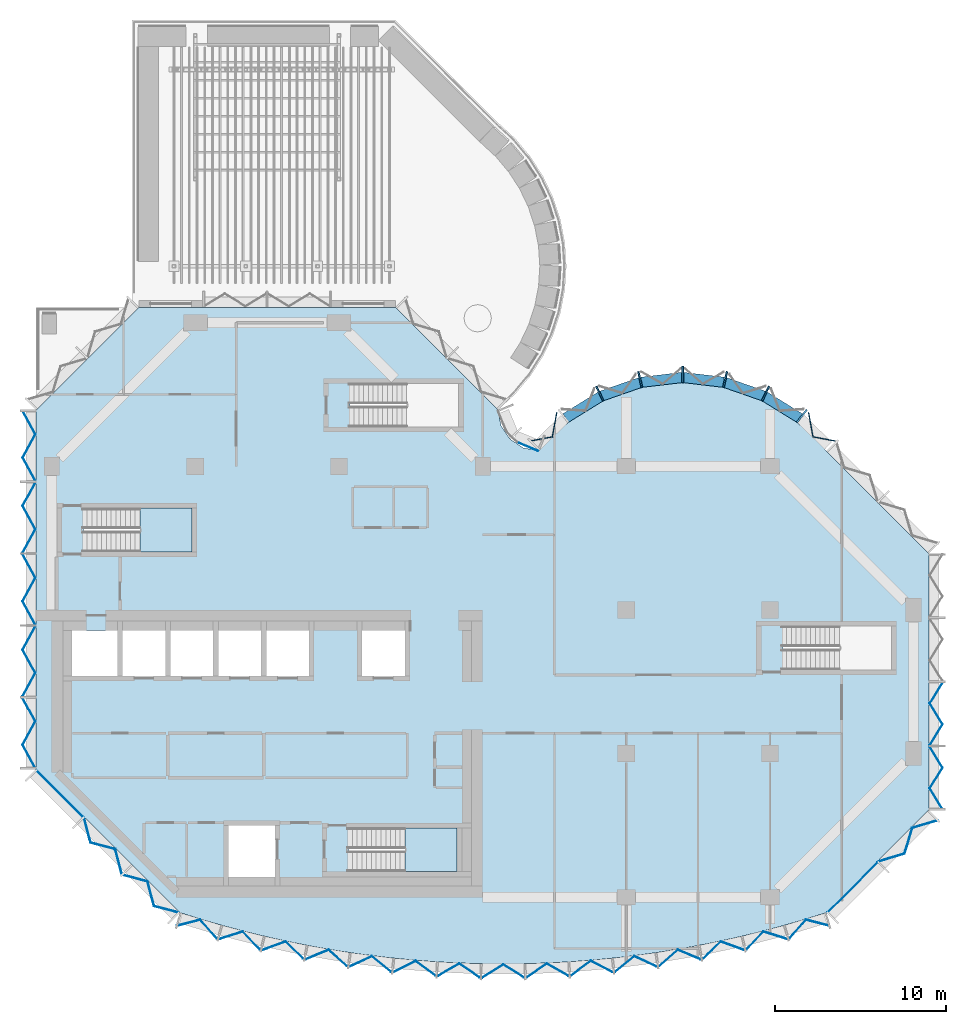
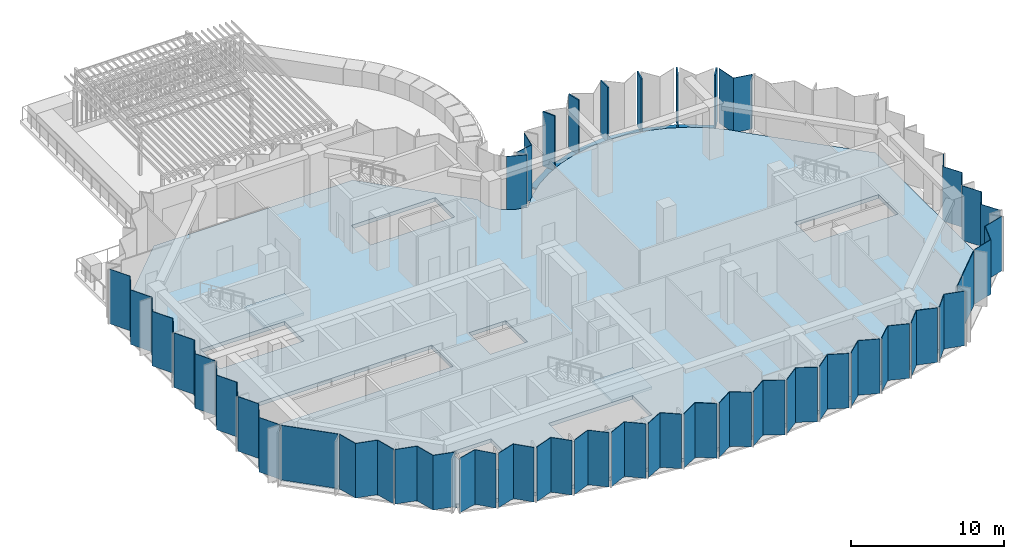
# One storey, part 6 of 15: 30 plates, 12 members, 3 slabs, 9 elements without a shape of their own.
"""IFC4 building model written with IfcOpenShell, lengths in metres."""

import ifcopenshell
import ifcopenshell.guid

model = None  # the IFC model being written
_history = None  # IfcOwnerHistory: only IFC2X3 demands one
_inside = {}  # id of a spatial element -> (the spatial element, [elements in it])
_under = {}  # id of a project, library or spatial element -> (it, [spatial elements below it])
_declared = {}  # id of a project -> (the project, [libraries it declares])
_typed = {}  # id of a type object -> (the type object, [elements of that type])
_made_of = {}  # id of a material, layer set ... -> (it, [elements and type objects made of it])


def new_model(schema):
    """Start an empty IFC model of exactly this schema.

    Asked for "IFC4X3", IfcOpenShell would pick the latest addendum, in which some entities
    have other attributes; the version numbers below select the first issue.
    IFC2X3 requires an IfcOwnerHistory on every rooted entity: one is made here for all.
    """
    global model, _history
    if schema == "IFC4X3":
        model = ifcopenshell.file(schema_version=(4, 3, 0, 0))
    else:
        model = ifcopenshell.file(schema=schema)
    _inside.clear()
    _under.clear()
    _declared.clear()
    _typed.clear()
    _made_of.clear()
    _history = None
    if model.schema == "IFC2X3":
        org = make("IfcOrganization", Name="unknown")
        user = make(
            "IfcPersonAndOrganization",
            ThePerson=make("IfcPerson", FamilyName="unknown"),
            TheOrganization=org,
        )
        app = make(
            "IfcApplication",
            ApplicationDeveloper=org,
            Version="unknown",
            ApplicationFullName="unknown",
            ApplicationIdentifier="unknown",
        )
        _history = make(
            "IfcOwnerHistory",
            OwningUser=user,
            OwningApplication=app,
            ChangeAction="ADDED",
            CreationDate=0,
        )
    return model


def make(cls, **values):
    """One entity of the class cls with the attributes given. An attribute that is None is left unset."""
    return model.create_entity(
        cls, **{name: value for name, value in values.items() if value is not None}
    )


def rooted(cls, **values):
    """An entity with a GlobalId (a new one), such as an element, a storey or a relation."""
    return make(cls, GlobalId=ifcopenshell.guid.new(), OwnerHistory=_history, **values)


def si_unit(unit_type, name, prefix=None):
    """IfcSIUnit, for example si_unit("LENGTHUNIT", "METRE", prefix="MILLI")."""
    return make("IfcSIUnit", UnitType=unit_type, Prefix=prefix, Name=name)


def assignment(units):
    """IfcUnitAssignment: the units of a project."""
    return None if units is None else make("IfcUnitAssignment", Units=units)


def point(xyz):
    """IfcCartesianPoint."""
    return None if xyz is None else make("IfcCartesianPoint", Coordinates=xyz)


def direction(xyz):
    """IfcDirection."""
    return None if xyz is None else make("IfcDirection", DirectionRatios=xyz)


def frame(location, z_axis=None, x_axis=None):
    """IfcAxis2Placement3D, a coordinate frame: its origin and axes. An axis left out is left unset."""
    return make(
        "IfcAxis2Placement3D",
        Location=point(location),
        Axis=direction(z_axis),
        RefDirection=direction(x_axis),
    )


def frame_2d(location, x_axis=None):
    """IfcAxis2Placement2D, a coordinate frame in the plane: its origin and x axis."""
    return make(
        "IfcAxis2Placement2D", Location=point(location), RefDirection=direction(x_axis)
    )


def origin():
    """The frame at (0, 0, 0) with its axes left unset."""
    return frame((0.0, 0.0, 0.0))


def origin_2d():
    """The frame at (0, 0) in the plane with its x axis left unset."""
    return frame_2d((0.0, 0.0))


def place(relative_to, where):
    """IfcLocalPlacement: puts the frame where relative to a parent placement (None: the world)."""
    return make(
        "IfcLocalPlacement", PlacementRelTo=relative_to, RelativePlacement=where
    )


def context(
    kind, dimensions, precision=None, world=None, true_north=None, identifier=None
):
    """IfcGeometricRepresentationContext, for example the 3D "Model" context."""
    return make(
        "IfcGeometricRepresentationContext",
        ContextIdentifier=identifier,
        ContextType=kind,
        CoordinateSpaceDimension=dimensions,
        Precision=precision,
        WorldCoordinateSystem=world,
        TrueNorth=true_north,
    )


def subcontext(parent, identifier, kind, view, scale=None):
    """IfcGeometricRepresentationSubContext, for example "Body" below "Model"."""
    return make(
        "IfcGeometricRepresentationSubContext",
        ContextIdentifier=identifier,
        ContextType=kind,
        ParentContext=parent,
        TargetScale=scale,
        TargetView=view,
    )


def project(units=None, contexts=None):
    """IfcProject with its units and contexts."""
    return rooted(
        "IfcProject",
        Name="project",
        RepresentationContexts=contexts,
        UnitsInContext=assignment(units),
    )


def spatial(cls, under=None, at=None, **own):
    """A site, building, storey or space (cls), placed at a placement, below another one or the project."""
    s = rooted(cls, ObjectPlacement=at, **own)
    if under is not None:
        _under.setdefault(under.id(), (under, []))[1].append(s)
    return s


def polyline(points):
    """IfcPolyline through the points."""
    return make("IfcPolyline", Points=[point(p) for p in points])


def profile(cls, at=None, kind="AREA", **sizes):
    """A parametric profile (cls). Its sizes go by their IFC names, for example OverallWidth=200.0."""
    return make(cls, ProfileType=kind, Position=at, **sizes)


def rectangle(**sizes):
    """IfcRectangleProfileDef."""
    return profile("IfcRectangleProfileDef", **sizes)


def outline(outer, holes=None, kind="AREA"):
    """IfcArbitraryClosedProfileDef: a profile drawn as a closed curve; with holes, ...WithVoids."""
    if holes is None:
        return make("IfcArbitraryClosedProfileDef", ProfileType=kind, OuterCurve=outer)
    return make(
        "IfcArbitraryProfileDefWithVoids",
        ProfileType=kind,
        OuterCurve=outer,
        InnerCurves=holes,
    )


def extrude(swept, where, along, depth):
    """IfcExtrudedAreaSolid: the profile swept, set in the frame where, extruded along a direction by depth."""
    return make(
        "IfcExtrudedAreaSolid",
        SweptArea=swept,
        Position=where,
        ExtrudedDirection=direction(along),
        Depth=depth,
    )


def shape(context_of_items, identifier, shape_type, items):
    """IfcShapeRepresentation: the items that make up one representation, for example the "Body"."""
    return make(
        "IfcShapeRepresentation",
        ContextOfItems=context_of_items,
        RepresentationIdentifier=identifier,
        RepresentationType=shape_type,
        Items=items,
    )


def material(Name=None, Category=None):
    """IfcMaterial."""
    return make("IfcMaterial", Name=Name, Category=Category)


def layer(
    of_material, thickness, ventilated=None, Name=None, Category=None, Priority=None
):
    """IfcMaterialLayer: one layer of a wall or slab, of a material (None: an air gap)."""
    return make(
        "IfcMaterialLayer",
        Material=of_material,
        LayerThickness=thickness,
        IsVentilated=ventilated,
        Name=Name,
        Category=Category,
        Priority=Priority,
    )


def layer_set(layers, Name=None):
    """IfcMaterialLayerSet."""
    return make("IfcMaterialLayerSet", MaterialLayers=layers, LayerSetName=Name)


def material_profile(
    of_material, cross_section, Name=None, Category=None, Priority=None
):
    """IfcMaterialProfile: a cross section and its material."""
    return make(
        "IfcMaterialProfile",
        Name=Name,
        Material=of_material,
        Profile=cross_section,
        Priority=Priority,
        Category=Category,
    )


def profile_set(profiles, Name=None, composite=None):
    """IfcMaterialProfileSet."""
    return make(
        "IfcMaterialProfileSet",
        Name=Name,
        MaterialProfiles=profiles,
        CompositeProfile=composite,
    )


def made_of(thing, what):
    """Note that an element or type object is made of a material, layer set ...; save() writes the relation."""
    if what is not None:
        _made_of.setdefault(what.id(), (what, []))[1].append(thing)
    return thing


def type_object(cls, material=None, **own):
    """A type object (cls), such as IfcWallType, which elements share."""
    return made_of(rooted(cls, **own), material)


def element(
    cls,
    number,
    at=None,
    inside=None,
    cuts=None,
    type_object=None,
    material=None,
    context=None,
    identifier="Body",
    shape_type=None,
    held_by="IfcProductDefinitionShape",
    body=None,
    shapes=None,
    **own,
):
    """One element of the class cls, such as IfcWall. Its Tag is "e" and its number.

    at: its placement. inside: the storey or other place that contains it. cuts: it is an
    opening in that element (IfcRelVoidsElement). A single representation is given by context,
    identifier, shape_type and body (its items); several are given by shapes. held_by: the class
    of the entity that holds the representations. save() writes the other relations.
    """
    e = rooted(cls, Tag="e%d" % number, ObjectPlacement=at, **own)
    if body is not None:
        shapes = [shape(context, identifier, shape_type, body)]
    if shapes is not None:
        e.Representation = make(held_by, Representations=shapes)
    if inside is not None:
        _inside.setdefault(inside.id(), (inside, []))[1].append(e)
    if cuts is not None:
        rooted(
            "IfcRelVoidsElement", RelatingBuildingElement=cuts, RelatedOpeningElement=e
        )
    if type_object is not None:
        _typed.setdefault(type_object.id(), (type_object, []))[1].append(e)
    return made_of(e, material)


def aggregate(whole, parts):
    """IfcRelAggregates: a whole, such as a stair, and the parts it consists of."""
    return rooted("IfcRelAggregates", RelatingObject=whole, RelatedObjects=parts)


def save(model, path):
    """Write the relations noted so far, then the file.

    IfcRelAggregates (storeys below a building ...), IfcRelContainedInSpatialStructure (elements
    in a storey), IfcRelDefinesByType, IfcRelAssociatesMaterial and IfcRelDeclares: one each for
    every whole, place, type object, material and project.
    """
    for whole, parts in _under.values():
        aggregate(whole, parts)
    for where, things in _inside.values():
        rooted(
            "IfcRelContainedInSpatialStructure",
            RelatedElements=things,
            RelatingStructure=where,
        )
    for kind, things in _typed.values():
        rooted("IfcRelDefinesByType", RelatedObjects=things, RelatingType=kind)
    for what, things in _made_of.values():
        rooted("IfcRelAssociatesMaterial", RelatedObjects=things, RelatingMaterial=what)
    for by, libraries in _declared.values():
        rooted("IfcRelDeclares", RelatingContext=by, RelatedDefinitions=libraries)
    model.write(path)


model = new_model("IFC4")

# Units and contexts
model_context = context("Model", 3, precision=1e-05, world=origin(), true_north=direction((0.0, 1.0)))
body_context = subcontext(model_context, "Body", "Model", "MODEL_VIEW")
ifc_project = project(units=[si_unit("LENGTHUNIT", "METRE"), si_unit("AREAUNIT", "SQUARE_METRE"), si_unit("VOLUMEUNIT", "CUBIC_METRE"), si_unit("PLANEANGLEUNIT", "RADIAN"), si_unit("MASSUNIT", "GRAM", prefix="KILO")], contexts=[model_context])

# Site, building, storey
site_placement = place(None, origin())
site = spatial("IfcSite", under=ifc_project, at=site_placement, CompositionType="ELEMENT")
building_placement = place(site_placement, origin())
building = spatial("IfcBuilding", under=site, at=building_placement, Name="Brevane Broadcast Tower", CompositionType="ELEMENT")
storey_placement = place(building_placement, frame((0.0, 0.0, 206.39990234375)))
storey = spatial("IfcBuildingStorey", under=building, at=storey_placement, Name="L52", CompositionType="ELEMENT", Elevation=206.39990234375)

# Curtain wall, members
ifc_material_1 = material(Name="Aluminium 6063-T6 bronze anodised", Category="aluminium")
curtain_wall_type = type_object("IfcCurtainWallType", Name="CW-4 curtain wall", PredefinedType="NOTDEFINED", material=ifc_material_1)
curtain_wall_1_placement = place(storey_placement, origin())
curtain_wall_1 = element("IfcCurtainWall", 1, at=curtain_wall_1_placement, inside=storey, type_object=curtain_wall_type, Name="CW-4 sky lobby unit L52 east bow", PredefinedType="NOTDEFINED")
ifc_material_profile_1 = material_profile(ifc_material_1, rectangle(XDim=0.949951171875, YDim=0.10009765625, at=origin_2d()), Name="RECT 100x950")
ifc_profile_set_1 = profile_set([ifc_material_profile_1], Name="Aluminium 6063-T6 bronze anodised")
member_type_1 = type_object("IfcMemberType", Name="CW-4 mullion 100x950", PredefinedType="MULLION", material=ifc_profile_set_1)
member_1_placement = place(storey_placement, frame((43.8720703125, 28.1455078125, -0.159912109375), z_axis=(0.0, 0.0, 1.0), x_axis=(-0.614769698862, -0.788706673841, 0.0)))
member_1 = element("IfcMember", 2, at=member_1_placement, type_object=member_type_1, Name="CW-4 mullion", PredefinedType="MULLION", context=body_context, shape_type="SweptSolid", body=[
    extrude(rectangle(XDim=0.949951171875, YDim=0.10009765625, at=origin_2d()), origin(), (0.0, 0.0, 1.0), 4.360107421875),
])
member_2_placement = place(storey_placement, frame((41.746826171875, 29.4580078125, -0.159912109375), z_axis=(0.0, 0.0, 1.0), x_axis=(-0.429933580394, -0.902860518823, 0.0)))
member_2 = element("IfcMember", 3, at=member_2_placement, type_object=member_type_1, Name="CW-4 mullion", PredefinedType="MULLION", context=body_context, shape_type="SweptSolid", body=[
    extrude(rectangle(XDim=0.949951171875, YDim=0.10009765625, at=origin_2d()), origin(), (0.0, 0.0, 1.0), 4.360107421875),
])
member_3_placement = place(storey_placement, frame((39.38818359375, 30.28076171875, -0.159912109375), z_axis=(0.0, 0.0, 1.0), x_axis=(-0.224806535479, -0.974403418306, 0.0)))
member_3 = element("IfcMember", 4, at=member_3_placement, type_object=member_type_1, Name="CW-4 mullion", PredefinedType="MULLION", context=body_context, shape_type="SweptSolid", body=[
    extrude(rectangle(XDim=0.949951171875, YDim=0.10009765625, at=origin_2d()), origin(), (0.0, 0.0, 1.0), 4.360107421875),
])
member_4_placement = place(storey_placement, frame((36.89990234375, 30.574951171875, -0.159912109375), z_axis=(0.0, 0.0, 1.0), x_axis=(0.0, -1.0, 0.0)))
member_4 = element("IfcMember", 5, at=member_4_placement, type_object=member_type_1, Name="CW-4 mullion", PredefinedType="MULLION", context=body_context, shape_type="SweptSolid", body=[
    extrude(rectangle(XDim=0.949951171875, YDim=0.10009765625, at=origin_2d()), origin(), (0.0, 0.0, 1.0), 4.360107421875),
])
member_5_placement = place(storey_placement, frame((34.411865234375, 30.28076171875, -0.159912109375), z_axis=(0.0, 0.0, 1.0), x_axis=(0.224806535479, -0.974403418306, 0.0)))
member_5 = element("IfcMember", 6, at=member_5_placement, type_object=member_type_1, Name="CW-4 mullion", PredefinedType="MULLION", context=body_context, shape_type="SweptSolid", body=[
    extrude(rectangle(XDim=0.949951171875, YDim=0.10009765625, at=origin_2d()), origin(), (0.0, 0.0, 1.0), 4.360107421875),
])
member_6_placement = place(storey_placement, frame((32.05322265625, 29.4580078125, -0.159912109375), z_axis=(0.0, 0.0, 1.0), x_axis=(0.429933580394, -0.902860518823, 0.0)))
member_6 = element("IfcMember", 7, at=member_6_placement, type_object=member_type_1, Name="CW-4 mullion", PredefinedType="MULLION", context=body_context, shape_type="SweptSolid", body=[
    extrude(rectangle(XDim=0.949951171875, YDim=0.10009765625, at=origin_2d()), origin(), (0.0, 0.0, 1.0), 4.360107421875),
])
ifc_material_profile_2 = material_profile(ifc_material_1, rectangle(XDim=0.60009765625, YDim=0.139892578125, at=origin_2d()), Name="RECT 140x600")
ifc_profile_set_2 = profile_set([ifc_material_profile_2], Name="Aluminium 6063-T6 bronze anodised")
member_type_2 = type_object("IfcMemberType", Name="CW-4 transom 140x600", PredefinedType="USERDEFINED", material=ifc_profile_set_2)
member_7_placement = place(storey_placement, frame((43.7421875, 28.023193359375, -0.22998046875), z_axis=(-0.850810063131, 0.525473345162, 0.0), x_axis=(-0.525473345162, -0.850810063131, 0.0)))
member_7 = element("IfcMember", 8, at=member_7_placement, type_object=member_type_2, Name="CW-4 transom", ObjectType="TRANSOM", PredefinedType="USERDEFINED", context=body_context, shape_type="SweptSolid", body=[
    extrude(rectangle(XDim=0.60009765625, YDim=0.139892578125, at=origin_2d()), origin(), (0.0, 0.0, 1.0), 2.39453125),
])
member_8_placement = place(storey_placement, frame((41.63623046875, 29.314208984375, -0.22998046875), z_axis=(-0.944197969542, 0.329378497041, 0.0), x_axis=(-0.329378497041, -0.944197969542, 0.0)))
member_8 = element("IfcMember", 9, at=member_8_placement, type_object=member_type_2, Name="CW-4 transom", ObjectType="TRANSOM", PredefinedType="USERDEFINED", context=body_context, shape_type="SweptSolid", body=[
    extrude(rectangle(XDim=0.60009765625, YDim=0.139892578125, at=origin_2d()), origin(), (0.0, 0.0, 1.0), 2.394775390625),
])
member_9_placement = place(storey_placement, frame((39.30029296875, 30.117431640625, -0.22998046875), z_axis=(-0.993062061831, 0.117591417, 0.0), x_axis=(-0.117591417, -0.993062061831, 0.0)))
member_9 = element("IfcMember", 10, at=member_9_placement, type_object=member_type_2, Name="CW-4 transom", ObjectType="TRANSOM", PredefinedType="USERDEFINED", context=body_context, shape_type="SweptSolid", body=[
    extrude(rectangle(XDim=0.60009765625, YDim=0.139892578125, at=origin_2d()), origin(), (0.0, 0.0, 1.0), 2.39794921875),
])
member_10_placement = place(storey_placement, frame((36.880859375, 30.3994140625, -0.22998046875), z_axis=(-0.993060653805, -0.117603307202, 0.0), x_axis=(0.117603307202, -0.993060653805, 0.0)))
member_10 = element("IfcMember", 11, at=member_10_placement, type_object=member_type_2, Name="CW-4 transom", ObjectType="TRANSOM", PredefinedType="USERDEFINED", context=body_context, shape_type="SweptSolid", body=[
    extrude(rectangle(XDim=0.60009765625, YDim=0.139892578125, at=origin_2d()), origin(), (0.0, 0.0, 1.0), 2.397705078125),
])
member_11_placement = place(storey_placement, frame((34.425048828125, 30.10302734375, -0.22998046875), z_axis=(-0.944197969542, -0.329378497041, 0.0), x_axis=(0.329378497041, -0.944197969542, 0.0)))
member_11 = element("IfcMember", 12, at=member_11_placement, type_object=member_type_2, Name="CW-4 transom", ObjectType="TRANSOM", PredefinedType="USERDEFINED", context=body_context, shape_type="SweptSolid", body=[
    extrude(rectangle(XDim=0.60009765625, YDim=0.139892578125, at=origin_2d()), origin(), (0.0, 0.0, 1.0), 2.394775390625),
])
member_12_placement = place(storey_placement, frame((32.09521484375, 29.281494140625, -0.22998046875), z_axis=(-0.850838211365, -0.525427766759, 0.0), x_axis=(0.525427766759, -0.850838211365, 0.0)))
member_12 = element("IfcMember", 13, at=member_12_placement, type_object=member_type_2, Name="CW-4 transom", ObjectType="TRANSOM", PredefinedType="USERDEFINED", context=body_context, shape_type="SweptSolid", body=[
    extrude(rectangle(XDim=0.60009765625, YDim=0.139892578125, at=origin_2d()), origin(), (0.0, 0.0, 1.0), 2.394775390625),
])

# Curtain wall, plates
curtain_wall_2_placement = place(storey_placement, origin())
curtain_wall_2 = element("IfcCurtainWall", 14, at=curtain_wall_2_placement, inside=storey, type_object=curtain_wall_type, Name="CW-4 sky lobby unit L52 south bow", PredefinedType="NOTDEFINED")
ifc_material_2 = material(Name="Laminated glass bronze-tinted", Category="glass")
ifc_layer_1 = layer(ifc_material_2, 0.0400390625)
ifc_layer_set_1 = layer_set([ifc_layer_1], Name="CW tall glass panel 40")
plate_type = type_object("IfcPlateType", Name="CW tall glass panel 40", PredefinedType="CURTAIN_PANEL", material=ifc_layer_set_1)
plate_1_placement = place(storey_placement, frame((0.0, 0.0, -0.159912109375)))
plate_1 = element("IfcPlate", 15, at=plate_1_placement, type_object=plate_type, Name="CW-4 glass panel", PredefinedType="CURTAIN_PANEL", context=body_context, shape_type="SweptSolid", body=[
    extrude(outline(polyline([(7.32666015625, -1.647705078125), (7.31298828125, -1.6923828125), (8.68603515625, -1.334716796875), (9.643310546875, -2.41796875), (9.65625, -2.3720703125), (8.69970703125, -1.289794921875), (7.32666015625, -1.647705078125)])), origin(), (0.0, 0.0, 1.0), 4.360107421875),
])
plate_2_placement = place(storey_placement, frame((0.0, 0.0, -0.159912109375)))
plate_2 = element("IfcPlate", 16, at=plate_2_placement, type_object=plate_type, Name="CW-4 glass panel", PredefinedType="CURTAIN_PANEL", context=body_context, shape_type="SweptSolid", body=[
    extrude(outline(polyline([(9.82958984375, -2.411376953125), (9.816650390625, -2.457275390625), (11.174560546875, -2.030029296875), (12.15771484375, -3.066162109375), (12.168701171875, -3.01953125), (11.186279296875, -1.984375), (9.82958984375, -2.411376953125)])), origin(), (0.0, 0.0, 1.0), 4.360107421875),
])
plate_3_placement = place(storey_placement, frame((0.0, 0.0, -0.159912109375)))
plate_3 = element("IfcPlate", 17, at=plate_3_placement, type_object=plate_type, Name="CW-4 glass panel", PredefinedType="CURTAIN_PANEL", context=body_context, shape_type="SweptSolid", body=[
    extrude(outline(polyline([(12.3427734375, -3.054443359375), (12.331787109375, -3.10107421875), (13.671142578125, -2.615966796875), (14.697021484375, -3.6083984375), (14.705810546875, -3.561279296875), (13.68115234375, -2.56982421875), (12.3427734375, -3.054443359375)])), origin(), (0.0, 0.0, 1.0), 4.360107421875),
])
plate_4_placement = place(storey_placement, frame((0.0, 0.0, -0.159912109375)))
plate_4 = element("IfcPlate", 18, at=plate_4_placement, type_object=plate_type, Name="CW-4 glass panel", PredefinedType="CURTAIN_PANEL", context=body_context, shape_type="SweptSolid", body=[
    extrude(outline(polyline([(14.880615234375, -3.59228515625), (14.87158203125, -3.639404296875), (16.190185546875, -3.09716796875), (17.25634765625, -4.044189453125), (17.263427734375, -3.996826171875), (16.197998046875, -3.05078125), (14.880615234375, -3.59228515625)])), origin(), (0.0, 0.0, 1.0), 4.360107421875),
])
plate_5_placement = place(storey_placement, frame((0.0, 0.0, -0.159912109375)))
plate_5 = element("IfcPlate", 19, at=plate_5_placement, type_object=plate_type, Name="CW-4 glass panel", PredefinedType="CURTAIN_PANEL", context=body_context, shape_type="SweptSolid", body=[
    extrude(outline(polyline([(17.43896484375, -4.023681640625), (17.431884765625, -4.071044921875), (18.72705078125, -3.47265625), (19.831787109375, -4.372802734375), (19.8369140625, -4.3251953125), (18.73291015625, -3.42578125), (17.43896484375, -4.023681640625)])), origin(), (0.0, 0.0, 1.0), 4.360107421875),
])
plate_6_placement = place(storey_placement, frame((0.0, 0.0, -0.159912109375)))
plate_6 = element("IfcPlate", 20, at=plate_6_placement, type_object=plate_type, Name="CW-4 glass panel", PredefinedType="CURTAIN_PANEL", context=body_context, shape_type="SweptSolid", body=[
    extrude(outline(polyline([(20.012939453125, -4.347900390625), (20.0078125, -4.3955078125), (21.27734375, -3.741943359375), (22.418701171875, -4.593505859375), (22.421630859375, -4.5458984375), (21.28125, -3.695068359375), (20.012939453125, -4.347900390625)])), origin(), (0.0, 0.0, 1.0), 4.360107421875),
])
plate_7_placement = place(storey_placement, frame((0.0, 0.0, -0.159912109375)))
plate_7 = element("IfcPlate", 21, at=plate_7_placement, type_object=plate_type, Name="CW-4 glass panel", PredefinedType="CURTAIN_PANEL", context=body_context, shape_type="SweptSolid", body=[
    extrude(outline(polyline([(22.598388671875, -4.564453125), (22.595458984375, -4.6123046875), (23.836669921875, -3.904541015625), (25.0126953125, -4.706298828125), (25.013916015625, -4.658447265625), (23.83837890625, -3.857421875), (22.598388671875, -4.564453125)])), origin(), (0.0, 0.0, 1.0), 4.360107421875),
])
plate_8_placement = place(storey_placement, frame((0.0, 0.0, -0.159912109375)))
plate_8 = element("IfcPlate", 22, at=plate_8_placement, type_object=plate_type, Name="CW-4 glass panel", PredefinedType="CURTAIN_PANEL", context=body_context, shape_type="SweptSolid", body=[
    extrude(outline(polyline([(25.191162109375, -4.67236328125), (25.190185546875, -4.72021484375), (26.4052734375, -3.958984375), (27.619140625, -4.708740234375), (27.6181640625, -4.6611328125), (26.4052734375, -3.912109375), (25.191162109375, -4.67236328125)])), origin(), (0.0, 0.0, 1.0), 4.360107421875),
])
plate_9_placement = place(storey_placement, frame((0.0, 0.0, -0.159912109375)))
plate_9 = element("IfcPlate", 23, at=plate_9_placement, type_object=plate_type, Name="CW-4 glass panel", PredefinedType="CURTAIN_PANEL", context=body_context, shape_type="SweptSolid", body=[
    extrude(outline(polyline([(27.77685546875, -4.658935546875), (27.77783203125, -4.70654296875), (28.958740234375, -3.90478515625), (30.20458984375, -4.612060546875), (30.20166015625, -4.564453125), (28.956787109375, -3.857666015625), (27.77685546875, -4.658935546875)])), origin(), (0.0, 0.0, 1.0), 4.360107421875),
])
plate_10_placement = place(storey_placement, frame((0.0, 0.0, -0.159912109375)))
plate_10 = element("IfcPlate", 24, at=plate_10_placement, type_object=plate_type, Name="CW-4 glass panel", PredefinedType="CURTAIN_PANEL", context=body_context, shape_type="SweptSolid", body=[
    extrude(outline(polyline([(30.37841796875, -4.5458984375), (30.38134765625, -4.593505859375), (31.522705078125, -3.741943359375), (32.7919921875, -4.3955078125), (32.787109375, -4.347900390625), (31.518798828125, -3.695068359375), (30.37841796875, -4.5458984375)])), origin(), (0.0, 0.0, 1.0), 4.360107421875),
])
plate_11_placement = place(storey_placement, frame((0.0, 0.0, -0.159912109375)))
plate_11 = element("IfcPlate", 25, at=plate_11_placement, type_object=plate_type, Name="CW-4 glass panel", PredefinedType="CURTAIN_PANEL", context=body_context, shape_type="SweptSolid", body=[
    extrude(outline(polyline([(32.963134765625, -4.3251953125), (32.96826171875, -4.372802734375), (34.072998046875, -3.47265625), (35.3681640625, -4.071044921875), (35.361083984375, -4.023681640625), (34.067138671875, -3.42578125), (32.963134765625, -4.3251953125)])), origin(), (0.0, 0.0, 1.0), 4.360107421875),
])
plate_12_placement = place(storey_placement, frame((0.0, 0.0, -0.159912109375)))
plate_12 = element("IfcPlate", 26, at=plate_12_placement, type_object=plate_type, Name="CW-4 glass panel", PredefinedType="CURTAIN_PANEL", context=body_context, shape_type="SweptSolid", body=[
    extrude(outline(polyline([(35.53662109375, -3.996826171875), (35.543701171875, -4.044189453125), (36.60986328125, -3.09716796875), (37.92822265625, -3.639404296875), (37.919189453125, -3.59228515625), (36.601806640625, -3.05078125), (35.53662109375, -3.996826171875)])), origin(), (0.0, 0.0, 1.0), 4.360107421875),
])
plate_13_placement = place(storey_placement, frame((0.0, 0.0, -0.159912109375)))
plate_13 = element("IfcPlate", 27, at=plate_13_placement, type_object=plate_type, Name="CW-4 glass panel", PredefinedType="CURTAIN_PANEL", context=body_context, shape_type="SweptSolid", body=[
    extrude(outline(polyline([(38.09423828125, -3.561279296875), (38.10302734375, -3.6083984375), (39.12890625, -2.615966796875), (40.46826171875, -3.10107421875), (40.457275390625, -3.054443359375), (39.118896484375, -2.56982421875), (38.09423828125, -3.561279296875)])), origin(), (0.0, 0.0, 1.0), 4.360107421875),
])
plate_14_placement = place(storey_placement, frame((0.0, 0.0, -0.159912109375)))
plate_14 = element("IfcPlate", 28, at=plate_14_placement, type_object=plate_type, Name="CW-4 glass panel", PredefinedType="CURTAIN_PANEL", context=body_context, shape_type="SweptSolid", body=[
    extrude(outline(polyline([(40.63134765625, -3.01953125), (40.642333984375, -3.066162109375), (41.62548828125, -2.030029296875), (42.9833984375, -2.457275390625), (42.970458984375, -2.411376953125), (41.613525390625, -1.984375), (40.63134765625, -3.01953125)])), origin(), (0.0, 0.0, 1.0), 4.360107421875),
])
plate_15_placement = place(storey_placement, frame((0.0, 0.0, -0.159912109375)))
plate_15 = element("IfcPlate", 29, at=plate_15_placement, type_object=plate_type, Name="CW-4 glass panel", PredefinedType="CURTAIN_PANEL", context=body_context, shape_type="SweptSolid", body=[
    extrude(outline(polyline([(43.143798828125, -2.3720703125), (43.156494140625, -2.41796875), (44.114013671875, -1.334716796875), (45.487060546875, -1.6923828125), (45.473388671875, -1.647705078125), (44.100341796875, -1.289794921875), (43.143798828125, -2.3720703125)])), origin(), (0.0, 0.0, 1.0), 4.360107421875),
])
aggregate(curtain_wall_2, [plate_1, plate_2, plate_3, plate_4, plate_5, plate_6, plate_7, plate_8, plate_9, plate_10, plate_11, plate_12, plate_13, plate_14, plate_15])

curtain_wall_3_placement = place(storey_placement, origin())
curtain_wall_3 = element("IfcCurtainWall", 30, at=curtain_wall_3_placement, inside=storey, type_object=curtain_wall_type, Name="CW-4 sky lobby unit L52 south-east chamfer", PredefinedType="NOTDEFINED")
plate_16_placement = place(storey_placement, frame((0.0, 0.0, -0.159912109375)))
plate_16 = element("IfcPlate", 31, at=plate_16_placement, type_object=plate_type, Name="CW-4 glass panel", PredefinedType="CURTAIN_PANEL", context=body_context, shape_type="SweptSolid", body=[
    extrude(outline(polyline([(45.356689453125, -0.885986328125), (48.285888671875, 2.04345703125), (48.314208984375, 2.01513671875), (45.385009765625, -0.9140625), (45.356689453125, -0.885986328125)])), origin(), (0.0, 0.0, 1.0), 4.360107421875),
])
plate_17_placement = place(storey_placement, frame((0.0, 0.0, -0.159912109375)))
plate_17 = element("IfcPlate", 32, at=plate_17_placement, type_object=plate_type, Name="CW-4 glass panel", PredefinedType="CURTAIN_PANEL", context=body_context, shape_type="SweptSolid", body=[
    extrude(outline(polyline([(48.3544921875, 2.1162109375), (48.38671875, 2.083984375), (49.8896484375, 2.533935546875), (50.339599609375, 4.036865234375), (51.84228515625, 4.48681640625), (51.810302734375, 4.51904296875), (50.3076171875, 4.06884765625), (49.857421875, 2.566162109375), (48.3544921875, 2.1162109375)])), origin(), (0.0, 0.0, 1.0), 4.360107421875),
])
aggregate(curtain_wall_3, [plate_16, plate_17])

curtain_wall_4_placement = place(storey_placement, origin())
curtain_wall_4 = element("IfcCurtainWall", 33, at=curtain_wall_4_placement, inside=storey, type_object=curtain_wall_type, Name="CW-4 sky lobby unit L52 east end", PredefinedType="NOTDEFINED")
plate_18_placement = place(storey_placement, frame((0.0, 0.0, -0.159912109375)))
plate_18 = element("IfcPlate", 34, at=plate_18_placement, type_object=plate_type, Name="CW-4 glass panel", PredefinedType="CURTAIN_PANEL", context=body_context, shape_type="SweptSolid", body=[
    extrude(outline(polyline([(52.07080078125, 5.14990234375), (52.117919921875, 5.14990234375), (51.373291015625, 6.36669921875), (52.117919921875, 7.583251953125), (51.373291015625, 8.800048828125), (51.32666015625, 8.800048828125), (52.07080078125, 7.583251953125), (51.32666015625, 6.36669921875), (52.07080078125, 5.14990234375)])), origin(), (0.0, 0.0, 1.0), 4.360107421875),
])
plate_19_placement = place(storey_placement, frame((0.0, 0.0, -0.159912109375)))
plate_19 = element("IfcPlate", 35, at=plate_19_placement, type_object=plate_type, Name="CW-4 glass panel", PredefinedType="CURTAIN_PANEL", context=body_context, shape_type="SweptSolid", body=[
    extrude(outline(polyline([(51.32666015625, 8.89990234375), (51.373291015625, 8.89990234375), (52.117919921875, 10.11669921875), (51.373291015625, 11.333251953125), (52.117919921875, 12.550048828125), (52.07080078125, 12.550048828125), (51.32666015625, 11.333251953125), (52.07080078125, 10.11669921875), (51.32666015625, 8.89990234375)])), origin(), (0.0, 0.0, 1.0), 4.360107421875),
])
aggregate(curtain_wall_4, [plate_18, plate_19])

# Plate
plate_20_placement = place(storey_placement, frame((0.0, 0.0, -0.159912109375)))
plate_20 = element("IfcPlate", 36, at=plate_20_placement, type_object=plate_type, Name="CW-4 glass panel", PredefinedType="CURTAIN_PANEL", context=body_context, shape_type="SweptSolid", body=[
    extrude(outline(polyline([(45.7802734375, 26.666015625), (45.813720703125, 26.700439453125), (44.539306640625, 26.9423828125), (44.27587890625, 28.37646484375), (44.242919921875, 28.334228515625), (44.5048828125, 26.908203125), (45.7802734375, 26.666015625)])), origin(), (0.0, 0.0, 1.0), 4.360107421875),
])

plate_21_placement = place(storey_placement, frame((0.0, 0.0, -0.159912109375)))
plate_21 = element("IfcPlate", 37, at=plate_21_placement, type_object=plate_type, Name="CW-4 glass panel", PredefinedType="CURTAIN_PANEL", context=body_context, shape_type="SweptSolid", body=[
    extrude(outline(polyline([(29.556884765625, 28.334228515625), (29.524169921875, 28.37646484375), (29.2607421875, 26.9423828125), (27.986328125, 26.700439453125), (28.019775390625, 26.666015625), (29.295166015625, 26.908203125), (29.556884765625, 28.334228515625)])), origin(), (0.0, 0.0, 1.0), 4.360107421875),
])

aggregate(curtain_wall_1, [member_1, member_2, member_3, member_4, member_5, member_6, member_7, member_8, member_9, member_10, member_11, member_12, plate_20, plate_21])

# Curtain wall, plate
curtain_wall_5_placement = place(storey_placement, origin())
curtain_wall_5 = element("IfcCurtainWall", 38, at=curtain_wall_5_placement, inside=storey, type_object=curtain_wall_type, Name="CW-4 sky lobby unit L52 inner corner", PredefinedType="NOTDEFINED")
plate_22_placement = place(storey_placement, frame((0.0, 0.0, -0.159912109375)))
plate_22 = element("IfcPlate", 39, at=plate_22_placement, type_object=plate_type, Name="CW-4 glass panel", PredefinedType="CURTAIN_PANEL", context=body_context, shape_type="SweptSolid", body=[
    extrude(outline(polyline([(28.437744140625, 26.080322265625), (28.453125, 26.1171875), (27.217041015625, 26.62939453125), (27.1865234375, 26.5986328125), (28.437744140625, 26.080322265625)])), origin(), (0.0, 0.0, 1.0), 4.360107421875),
])
aggregate(curtain_wall_5, [plate_22])

# Curtain wall, plates
curtain_wall_6_placement = place(storey_placement, origin())
curtain_wall_6 = element("IfcCurtainWall", 40, at=curtain_wall_6_placement, inside=storey, type_object=curtain_wall_type, Name="CW-4 sky lobby unit L52 west face", PredefinedType="NOTDEFINED")
plate_23_placement = place(storey_placement, frame((0.0, 0.0, -0.159912109375)))
plate_23 = element("IfcPlate", 41, at=plate_23_placement, type_object=plate_type, Name="CW-4 glass panel", PredefinedType="CURTAIN_PANEL", context=body_context, shape_type="SweptSolid", body=[
    extrude(outline(polyline([(-1.671630859375, 28.449951171875), (-1.71728515625, 28.449951171875), (-0.972900390625, 27.083251953125), (-1.71728515625, 25.716796875), (-0.972900390625, 24.35009765625), (-0.92724609375, 24.35009765625), (-1.671630859375, 25.716796875), (-0.92724609375, 27.083251953125), (-1.671630859375, 28.449951171875)])), origin(), (0.0, 0.0, 1.0), 4.360107421875),
])
plate_24_placement = place(storey_placement, frame((0.0, 0.0, -0.159912109375)))
plate_24 = element("IfcPlate", 42, at=plate_24_placement, type_object=plate_type, Name="CW-4 glass panel", PredefinedType="CURTAIN_PANEL", context=body_context, shape_type="SweptSolid", body=[
    extrude(outline(polyline([(-0.92724609375, 24.25), (-0.972900390625, 24.25), (-1.71728515625, 22.88330078125), (-0.972900390625, 21.5166015625), (-1.71728515625, 20.14990234375), (-1.671630859375, 20.14990234375), (-0.92724609375, 21.5166015625), (-1.671630859375, 22.88330078125), (-0.92724609375, 24.25)])), origin(), (0.0, 0.0, 1.0), 4.360107421875),
])
plate_25_placement = place(storey_placement, frame((0.0, 0.0, -0.159912109375)))
plate_25 = element("IfcPlate", 43, at=plate_25_placement, type_object=plate_type, Name="CW-4 glass panel", PredefinedType="CURTAIN_PANEL", context=body_context, shape_type="SweptSolid", body=[
    extrude(outline(polyline([(-1.671630859375, 20.050048828125), (-1.71728515625, 20.050048828125), (-0.972900390625, 18.683349609375), (-1.71728515625, 17.316650390625), (-0.972900390625, 15.949951171875), (-0.92724609375, 15.949951171875), (-1.671630859375, 17.316650390625), (-0.92724609375, 18.683349609375), (-1.671630859375, 20.050048828125)])), origin(), (0.0, 0.0, 1.0), 4.360107421875),
])
plate_26_placement = place(storey_placement, frame((0.0, 0.0, -0.159912109375)))
plate_26 = element("IfcPlate", 44, at=plate_26_placement, type_object=plate_type, Name="CW-4 glass panel", PredefinedType="CURTAIN_PANEL", context=body_context, shape_type="SweptSolid", body=[
    extrude(outline(polyline([(-0.92724609375, 15.85009765625), (-0.972900390625, 15.85009765625), (-1.71728515625, 14.4833984375), (-0.972900390625, 13.11669921875), (-1.71728515625, 11.75), (-1.671630859375, 11.75), (-0.92724609375, 13.11669921875), (-1.671630859375, 14.4833984375), (-0.92724609375, 15.85009765625)])), origin(), (0.0, 0.0, 1.0), 4.360107421875),
])
plate_27_placement = place(storey_placement, frame((0.0, 0.0, -0.159912109375)))
plate_27 = element("IfcPlate", 45, at=plate_27_placement, type_object=plate_type, Name="CW-4 glass panel", PredefinedType="CURTAIN_PANEL", context=body_context, shape_type="SweptSolid", body=[
    extrude(outline(polyline([(-1.671630859375, 11.64990234375), (-1.71728515625, 11.64990234375), (-0.972900390625, 10.283203125), (-1.71728515625, 8.916748046875), (-0.972900390625, 7.550048828125), (-0.92724609375, 7.550048828125), (-1.671630859375, 8.916748046875), (-0.92724609375, 10.283203125), (-1.671630859375, 11.64990234375)])), origin(), (0.0, 0.0, 1.0), 4.360107421875),
])
aggregate(curtain_wall_6, [plate_23, plate_24, plate_25, plate_26, plate_27])

curtain_wall_7_placement = place(storey_placement, origin())
curtain_wall_7 = element("IfcCurtainWall", 46, at=curtain_wall_7_placement, inside=storey, type_object=curtain_wall_type, Name="CW-4 sky lobby unit L52 south-west chamfer", PredefinedType="NOTDEFINED")
plate_28_placement = place(storey_placement, frame((0.0, 0.0, -0.159912109375)))
plate_28 = element("IfcPlate", 47, at=plate_28_placement, type_object=plate_type, Name="CW-4 glass panel", PredefinedType="CURTAIN_PANEL", context=body_context, shape_type="SweptSolid", body=[
    extrude(outline(polyline([(-0.885986328125, 7.443359375), (1.843505859375, 4.714111328125), (1.815185546875, 4.685791015625), (-0.9140625, 7.4150390625), (-0.885986328125, 7.443359375)])), origin(), (0.0, 0.0, 1.0), 4.360107421875),
])
plate_29_placement = place(storey_placement, frame((0.0, 0.0, -0.159912109375)))
plate_29 = element("IfcPlate", 48, at=plate_29_placement, type_object=plate_type, Name="CW-4 glass panel", PredefinedType="CURTAIN_PANEL", context=body_context, shape_type="SweptSolid", body=[
    extrude(outline(polyline([(1.916259765625, 4.6455078125), (1.8837890625, 4.613037109375), (2.26708984375, 3.1767578125), (3.703125, 2.79345703125), (4.086669921875, 1.357421875), (4.119384765625, 1.389892578125), (3.73583984375, 2.826171875), (2.2998046875, 3.20947265625), (1.916259765625, 4.6455078125)])), origin(), (0.0, 0.0, 1.0), 4.360107421875),
])
plate_30_placement = place(storey_placement, frame((0.0, 0.0, -0.159912109375)))
plate_30 = element("IfcPlate", 49, at=plate_30_placement, type_object=plate_type, Name="CW-4 glass panel", PredefinedType="CURTAIN_PANEL", context=body_context, shape_type="SweptSolid", body=[
    extrude(outline(polyline([(4.18994140625, 1.3193359375), (4.1572265625, 1.28662109375), (5.593505859375, 0.9033203125), (5.976806640625, -0.532958984375), (7.4130859375, -0.916259765625), (7.445556640625, -0.8837890625), (6.009521484375, -0.500244140625), (5.626220703125, 0.935791015625), (4.18994140625, 1.3193359375)])), origin(), (0.0, 0.0, 1.0), 4.360107421875),
])
aggregate(curtain_wall_7, [plate_28, plate_29, plate_30])

# Stair, slab
ifc_material_3 = material(Name="Concrete C50/60", Category="concrete")
stair_type = type_object("IfcStairType", Name="Exit stair 26 risers", PredefinedType="HALF_TURN_STAIR", material=ifc_material_3)
stair_1_placement = place(storey_placement, origin())
stair_1 = element("IfcStair", 50, at=stair_1_placement, inside=storey, type_object=stair_type, Name="L52 Exit stair ST-1", PredefinedType="HALF_TURN_STAIR")
ifc_layer_2 = layer(ifc_material_3, 0.199951171875)
ifc_layer_set_2 = layer_set([ifc_layer_2], Name="Exit stair landing")
slab_type_1 = type_object("IfcSlabType", Name="Exit stair landing", PredefinedType="LANDING", material=ifc_layer_set_2)
slab_1_placement = place(storey_placement, frame((0.0, 0.0, 2.050048828125)))
slab_1 = element("IfcSlab", 51, at=slab_1_placement, type_object=slab_type_1, Name="ST-1 landing 1", PredefinedType="LANDING", context=body_context, shape_type="SweptSolid", body=[
    extrude(outline(polyline([(5.159912109375, 20.199951171875), (8.199951171875, 20.199951171875), (8.199951171875, 22.75), (5.159912109375, 22.75), (5.159912109375, 20.199951171875)])), origin(), (0.0, 0.0, 1.0), 0.199951171875),
])
aggregate(stair_1, [slab_1])

stair_2_placement = place(storey_placement, origin())
stair_2 = element("IfcStair", 52, at=stair_2_placement, inside=storey, type_object=stair_type, Name="L52 Exit stair ST-2", PredefinedType="HALF_TURN_STAIR")
slab_2_placement = place(storey_placement, frame((0.0, 0.0, 2.050048828125)))
slab_2 = element("IfcSlab", 53, at=slab_2_placement, type_object=slab_type_1, Name="ST-2 landing 1", PredefinedType="LANDING", context=body_context, shape_type="SweptSolid", body=[
    extrude(outline(polyline([(20.659912109375, 1.5), (23.699951171875, 1.5), (23.699951171875, 4.050048828125), (20.659912109375, 4.050048828125), (20.659912109375, 1.5)])), origin(), (0.0, 0.0, 1.0), 0.199951171875),
])
aggregate(stair_2, [slab_2])

# Slab
ifc_material_4 = material(Name="Concrete C40/50", Category="concrete")
ifc_layer_3 = layer(ifc_material_4, 0.300048828125)
ifc_layer_set_3 = layer_set([ifc_layer_3], Name="RC FLOOR SLAB 300 C40/50")
slab_type_2 = type_object("IfcSlabType", Name="RC FLOOR SLAB 300 C40/50", PredefinedType="FLOOR", material=ifc_layer_set_3)
slab_3_placement = place(storey_placement, frame((0.0, 0.0, -0.2998046875)))
element("IfcSlab", 54, at=slab_3_placement, inside=storey, type_object=slab_type_2, Name="SL300 L52", PredefinedType="FLOOR", context=body_context, shape_type="SweptSolid", body=[
    extrude(outline(polyline([(-0.89990234375, 7.5), (-0.89990234375, 28.5), (5.10009765625, 34.5), (20.10009765625, 34.5), (26.10009765625, 28.5), (26.28271484375, 27.58154296875), (26.802978515625, 26.802978515625), (27.58154296875, 26.28271484375), (28.5, 26.10009765625), (29.431396484375, 27.10888671875), (30.48291015625, 27.99169921875), (31.6376953125, 28.734130859375), (32.877197265625, 29.324462890625), (34.181640625, 29.7529296875), (35.52978515625, 30.012939453125), (36.89990234375, 30.10009765625), (38.270263671875, 30.012939453125), (39.618408203125, 29.7529296875), (40.922607421875, 29.324462890625), (42.162353515625, 28.734130859375), (43.317138671875, 27.99169921875), (44.36865234375, 27.10888671875), (45.300048828125, 26.10009765625), (51.300048828125, 20.10009765625), (51.300048828125, 5.10009765625), (45.300048828125, -0.89990234375), (43.990234375, -1.310302734375), (42.671630859375, -1.691162109375), (41.3447265625, -2.0419921875), (40.01025390625, -2.36328125), (38.6689453125, -2.654052734375), (37.3212890625, -2.9150390625), (35.96826171875, -3.145263671875), (34.6103515625, -3.34521484375), (33.248291015625, -3.5146484375), (31.8828125, -3.6533203125), (30.5146484375, -3.76123046875), (29.144287109375, -3.83837890625), (27.7724609375, -3.884521484375), (26.39990234375, -3.89990234375), (25.027587890625, -3.884521484375), (23.65576171875, -3.83837890625), (22.285400390625, -3.76123046875), (20.917236328125, -3.6533203125), (19.5517578125, -3.5146484375), (18.189697265625, -3.34521484375), (16.831787109375, -3.145263671875), (15.478759765625, -2.9150390625), (14.131103515625, -2.654052734375), (12.789794921875, -2.36328125), (11.455322265625, -2.0419921875), (10.12841796875, -1.691162109375), (8.809814453125, -1.310302734375), (7.5, -0.89990234375), (-0.89990234375, 7.5)]), holes=[polyline([(13.199951171875, 4.39990234375), (10.199951171875, 4.39990234375), (10.199951171875, 1.199951171875), (13.199951171875, 1.199951171875), (13.199951171875, 4.39990234375)]), polyline([(4.0, 15.60009765625), (1.199951171875, 15.60009765625), (1.199951171875, 12.800048828125), (4.0, 12.800048828125), (6.800048828125, 12.800048828125), (9.60009765625, 12.800048828125), (12.39990234375, 12.800048828125), (15.199951171875, 12.800048828125), (15.199951171875, 15.60009765625), (12.39990234375, 15.60009765625), (9.60009765625, 15.60009765625), (6.800048828125, 15.60009765625), (4.0, 15.60009765625)]), polyline([(1.860107421875, 22.75), (1.860107421875, 20.199951171875), (8.199951171875, 20.199951171875), (8.199951171875, 22.75), (1.860107421875, 22.75)]), polyline([(23.699951171875, 4.050048828125), (17.360107421875, 4.050048828125), (17.360107421875, 1.5), (23.699951171875, 1.5), (23.699951171875, 4.050048828125)]), polyline([(20.800048828125, 15.60009765625), (18.0, 15.60009765625), (18.0, 12.800048828125), (20.800048828125, 12.800048828125), (20.800048828125, 15.60009765625)]), polyline([(49.10009765625, 15.85009765625), (42.760009765625, 15.85009765625), (42.760009765625, 13.300048828125), (49.10009765625, 13.300048828125), (49.10009765625, 15.85009765625)]), polyline([(23.800048828125, 30.050048828125), (17.4599609375, 30.050048828125), (17.4599609375, 27.5), (23.800048828125, 27.5), (23.800048828125, 30.050048828125)])]), origin(), (0.0, 0.0, 1.0), 0.2998046875),
])

save(model, "model.ifc")
